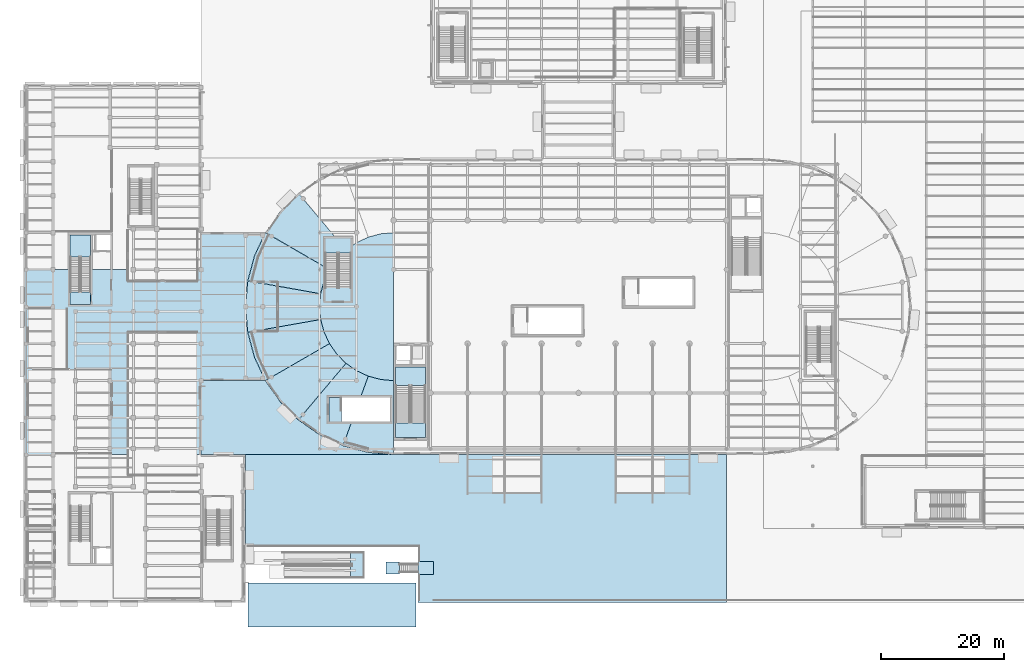
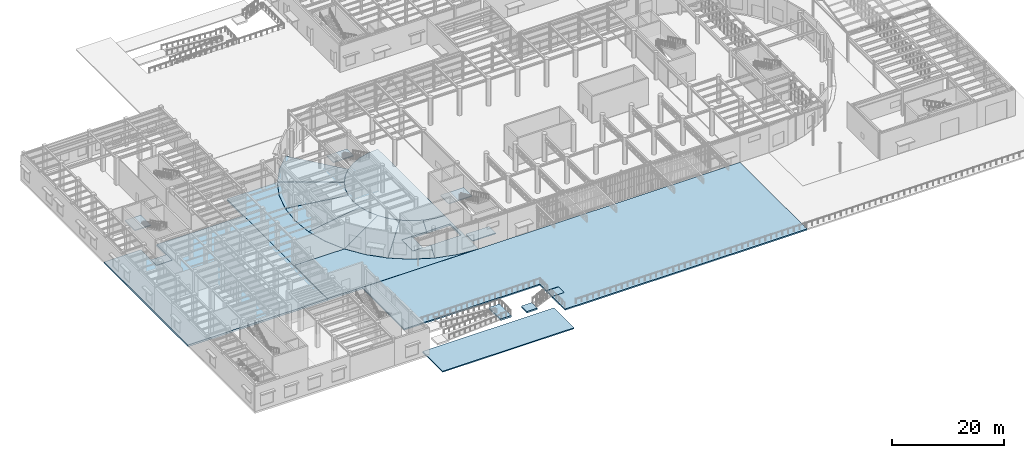
# One storey, part 70 of 118: 22 slabs, 4 elements without a shape of their own.
"""IFC4 building model written with IfcOpenShell, lengths in metres."""

from ifc_helpers import new_model, si_unit, direction, frame, origin, place, context, subcontext, project, spatial, polyline, outline, extrude, material, layer, layer_set, type_object, element, aggregate, save


model = new_model("IFC4")

# Units and contexts
model_context = context("Model", 3, precision=1e-05, world=origin(), true_north=direction((0.0, 1.0)))
body_context = subcontext(model_context, "Body", "Model", "MODEL_VIEW")
ifc_project = project(units=[si_unit("LENGTHUNIT", "METRE"), si_unit("AREAUNIT", "SQUARE_METRE"), si_unit("VOLUMEUNIT", "CUBIC_METRE"), si_unit("PLANEANGLEUNIT", "RADIAN"), si_unit("MASSUNIT", "GRAM", prefix="KILO")], contexts=[model_context])

# Site, building, storey
site_placement = place(None, origin())
site = spatial("IfcSite", under=ifc_project, at=site_placement, CompositionType="ELEMENT")
building_placement = place(site_placement, origin())
building = spatial("IfcBuilding", under=site, at=building_placement, Name="Kolvaren Corner Interchange", CompositionType="ELEMENT")
storey_placement = place(building_placement, origin())
storey = spatial("IfcBuildingStorey", under=building, at=storey_placement, Name="L01", CompositionType="ELEMENT", Elevation=0.0)

# Slabs
ifc_material_1 = material(Name="Granite Paving Concrete C35/45", Category="masonry")
ifc_layer_1 = layer(ifc_material_1, 0.22998046875)
ifc_layer_set_1 = layer_set([ifc_layer_1], Name="Granite Paving Concrete C35/45")
slab_type_1 = type_object("IfcSlabType", Name="SL-PAV-230", PredefinedType="USERDEFINED", material=ifc_layer_set_1)
slab_1_placement = place(storey_placement, frame((0.0, 0.0, -1.72998046875)))
element("IfcSlab", 1, at=slab_1_placement, inside=storey, type_object=slab_type_1, Name="Kolvaren Boulevard Street Sidewalk Paving Slab", ObjectType="PAVING", PredefinedType="USERDEFINED", context=body_context, shape_type="SweptSolid", body=[
    extrude(outline(polyline([(63.60009765625, -4.0), (63.60009765625, 3.199951171875), (36.39990234375, 3.199951171875), (36.39990234375, -4.0), (63.60009765625, -4.0)])), origin(), (0.0, 0.0, 1.0), 0.22998046875),
])
ifc_material_2 = material(Name="Basalt Paving Concrete C35/45", Category="masonry")
ifc_layer_2 = layer(ifc_material_2, 0.2900390625)
ifc_layer_set_2 = layer_set([ifc_layer_2], Name="Basalt Paving Concrete C35/45")
slab_type_2 = type_object("IfcSlabType", Name="SL-PAV-290", PredefinedType="USERDEFINED", material=ifc_layer_set_2)
slab_2_placement = place(storey_placement, frame((0.0, 0.0, -0.39990234375)))
element("IfcSlab", 2, at=slab_2_placement, inside=storey, type_object=slab_type_2, Name="Level 01 Metro Courtyard Waterproof Lid Slab Part 2", ObjectType="PAVING", PredefinedType="USERDEFINED", context=body_context, shape_type="SweptSolid", body=[
    extrude(outline(polyline([(39.1923828125, 36.0), (28.840087890625, 36.0), (28.800048828125, 24.0400390625), (59.083740234375, 24.0), (59.118896484375, 24.05908203125), (55.83251953125, 24.364501953125), (51.79248046875, 25.447265625), (48.0, 27.21533203125), (44.572509765625, 29.615478515625), (41.614990234375, 32.572998046875), (39.1923828125, 36.0)])), origin(), (0.0, 0.0, 1.0), 0.39990234375),
])
slab_3_placement = place(storey_placement, frame((0.0, 0.0, -0.2900390625)))
element("IfcSlab", 3, at=slab_3_placement, inside=storey, type_object=slab_type_2, Name="Level 01 South Civic Forecourt Plinth Paving Slab", ObjectType="PAVING", PredefinedType="USERDEFINED", context=body_context, shape_type="SweptSolid", body=[
    extrude(outline(polyline([(64.0, 9.0), (64.01171875, 6.66162109375), (66.5, 6.64892578125), (66.5, 4.550048828125), (64.0400390625, 4.550048828125), (64.0029296875, 4.525390625), (64.0, 0.0400390625), (64.0322265625, 0.000732421875), (113.9716796875, 0.001708984375), (114.0, 0.0400390625), (113.998291015625, 23.9716796875), (113.9599609375, 24.0), (36.0400390625, 24.0), (36.004638671875, 23.97900390625), (36.0, 9.0400390625), (36.02099609375, 9.004638671875), (64.0, 9.0)])), origin(), (0.0, 0.0, 1.0), 0.2900390625),
])
ifc_material_3 = material(Name="Concrete C35/45", Category="concrete")
ifc_layer_3 = layer(ifc_material_3, 0.340087890625)
ifc_layer_set_3 = layer_set([ifc_layer_3], Name="Concrete C35/45")
slab_type_3 = type_object("IfcSlabType", Name="SL-RAMP-LAND", PredefinedType="LANDING", material=ifc_layer_set_3)
slab_4_placement = place(storey_placement, frame((0.0, 0.0, -1.840087890625)))
element("IfcSlab", 4, at=slab_4_placement, inside=storey, type_object=slab_type_3, Name="Southwest Forecourt Civic Steps Bottom Structural Landing Slab", PredefinedType="LANDING", context=body_context, shape_type="SweptSolid", body=[
    extrude(outline(polyline([(58.800048828125, 4.60009765625), (60.93994140625, 4.60009765625), (60.93994140625, 6.60009765625), (58.800048828125, 6.60009765625), (58.800048828125, 4.60009765625)])), origin(), (0.0, 0.0, 1.0), 0.340087890625),
])
slab_5_placement = place(storey_placement, frame((0.0, 0.0, -0.3798828125)))
element("IfcSlab", 5, at=slab_5_placement, inside=storey, type_object=slab_type_3, Name="Southwest Forecourt Civic Steps Top Plinth Arrival Slab", PredefinedType="LANDING", context=body_context, shape_type="SweptSolid", body=[
    extrude(outline(polyline([(64.0, 4.550048828125), (66.5, 4.550048828125), (66.5, 6.64990234375), (64.0, 6.64990234375), (64.0, 4.550048828125)])), origin(), (0.0, 0.0, 1.0), 0.33984375),
])

# Ramp, slab
ifc_material_4 = material(Name="Concrete C35/45", Category="concrete")
ramp_type = type_object("IfcRampType", Name="RMP-PLINTH", PredefinedType="HALF_TURN_RAMP", material=ifc_material_4)
ramp_placement = place(storey_placement, origin())
ramp = element("IfcRamp", 6, at=ramp_placement, inside=storey, type_object=ramp_type, Name="South Forecourt Accessible Plinth Ramp", PredefinedType="HALF_TURN_RAMP")
slab_6_placement = place(storey_placement, frame((0.0, 0.0, -1.090087890625)))
slab_6 = element("IfcSlab", 7, at=slab_6_placement, type_object=slab_type_3, Name="South Forecourt Accessible Plinth Ramp Intermediate Landing Slab", PredefinedType="LANDING", context=body_context, shape_type="SweptSolid", body=[
    extrude(outline(polyline([(53.0, 4.0), (55.25, 4.0), (55.25, 8.199951171875), (53.0, 8.199951171875), (53.0, 4.0)])), origin(), (0.0, 0.0, 1.0), 0.340087890625),
])
aggregate(ramp, [slab_6])

# Slab
ifc_material_5 = material(Name="Concrete C35/45", Category="concrete")
ifc_layer_4 = layer(ifc_material_5, 0.199951171875)
ifc_layer_set_4 = layer_set([ifc_layer_4], Name="Concrete C35/45")
slab_type_4 = type_object("IfcSlabType", Name="SL-STAIR-LAND200", PredefinedType="LANDING", material=ifc_layer_set_4)
slab_7_placement = place(storey_placement, frame((0.0, 0.0, -0.199951171875)))
element("IfcSlab", 8, at=slab_7_placement, inside=storey, type_object=slab_type_4, Name="Core C2 Northwest Firefighting Stair L01 Floor Arrival Landing Slab", PredefinedType="LANDING", context=body_context, shape_type="SweptSolid", body=[
    extrude(outline(polyline([(10.85009765625, 48.35009765625), (10.85009765625, 50.35009765625), (7.550048828125, 50.35009765625), (7.550048828125, 48.35009765625), (10.85009765625, 48.35009765625)])), origin(), (0.0, 0.0, 1.0), 0.199951171875),
])

# Stair, slab
ifc_material_6 = material(Name="Concrete C35/45", Category="concrete")
stair_type_1 = type_object("IfcStairType", Name="ST-FF-1550", PredefinedType="HALF_TURN_STAIR", material=ifc_material_6)
stair_1_placement = place(storey_placement, origin())
stair_1 = element("IfcStair", 9, at=stair_1_placement, inside=storey, type_object=stair_type_1, Name="Core C2 Northwest Firefighting Stair L01 to L02 Stair", PredefinedType="HALF_TURN_STAIR")
slab_8_placement = place(storey_placement, frame((0.0, 0.0, 2.800048828125)))
slab_8 = element("IfcSlab", 10, at=slab_8_placement, type_object=slab_type_4, Name="Core C2 Northwest Firefighting Stair L01 Intermediate Half Landing Slab", PredefinedType="LANDING", context=body_context, shape_type="SweptSolid", body=[
    extrude(outline(polyline([(10.85009765625, 56.050048828125), (10.85009765625, 59.64990234375), (7.550048828125, 59.64990234375), (7.550048828125, 56.050048828125), (10.85009765625, 56.050048828125)])), origin(), (0.0, 0.0, 1.0), 0.199951171875),
])
aggregate(stair_1, [slab_8])

# Slab
slab_9_placement = place(storey_placement, frame((0.0, 0.0, -0.199951171875)))
element("IfcSlab", 11, at=slab_9_placement, inside=storey, type_object=slab_type_4, Name="Core C3 West Concourse Transfer Stair L01 Floor Arrival Landing Slab", PredefinedType="LANDING", context=body_context, shape_type="SweptSolid", body=[
    extrude(outline(polyline([(65.14990234375, 26.75), (65.14990234375, 29.14990234375), (60.35009765625, 29.14990234375), (60.35009765625, 26.75), (65.14990234375, 26.75)])), origin(), (0.0, 0.0, 1.0), 0.199951171875),
])

# Stair, slab
ifc_material_7 = material(Name="Concrete C35/45", Category="concrete")
stair_type_2 = type_object("IfcStairType", Name="ST-TR-2300", PredefinedType="HALF_TURN_STAIR", material=ifc_material_7)
stair_2_placement = place(storey_placement, origin())
stair_2 = element("IfcStair", 12, at=stair_2_placement, inside=storey, type_object=stair_type_2, Name="Core C3 West Concourse Transfer Stair L01 to L02 Stair", PredefinedType="HALF_TURN_STAIR")
slab_10_placement = place(storey_placement, frame((0.0, 0.0, 2.800048828125)))
slab_10 = element("IfcSlab", 13, at=slab_10_placement, type_object=slab_type_4, Name="Core C3 West Concourse Transfer Stair L01 Intermediate Half Landing Slab", PredefinedType="LANDING", context=body_context, shape_type="SweptSolid", body=[
    extrude(outline(polyline([(65.14990234375, 35.22998046875), (65.14990234375, 38.25), (60.35009765625, 38.25), (60.35009765625, 35.22998046875), (65.14990234375, 35.22998046875)])), origin(), (0.0, 0.0, 1.0), 0.199951171875),
])
aggregate(stair_2, [slab_10])

# Slab
slab_11_placement = place(storey_placement, frame((0.0, 0.0, -0.199951171875)))
element("IfcSlab", 14, at=slab_11_placement, inside=storey, type_object=slab_type_4, Name="Metro West Plant and Gateline Exit Stair L01 Floor Arrival Landing Slab", PredefinedType="LANDING", context=body_context, shape_type="SweptSolid", body=[
    extrude(outline(polyline([(49.5, 29.300048828125), (51.550048828125, 29.300048828125), (51.550048828125, 33.300048828125), (49.5, 33.300048828125), (49.5, 29.300048828125)])), origin(), (0.0, 0.0, 1.0), 0.199951171875),
])

# Stair, slab
ifc_material_8 = material(Name="Concrete C35/45", Category="concrete")
stair_type_3 = type_object("IfcStairType", Name="ST-GL-2000", PredefinedType="HALF_TURN_STAIR", material=ifc_material_8)
stair_3_placement = place(storey_placement, origin())
stair_3 = element("IfcStair", 15, at=stair_3_placement, inside=storey, type_object=stair_type_3, Name="West Racetrack Concourse Gallery Stair L01 to L02 Stair", PredefinedType="HALF_TURN_STAIR")
slab_12_placement = place(storey_placement, frame((0.0, 0.0, 2.800048828125)))
slab_12 = element("IfcSlab", 16, at=slab_12_placement, type_object=slab_type_4, Name="West Racetrack Concourse Gallery Stair L01 Intermediate Half Landing Slab", PredefinedType="LANDING", context=body_context, shape_type="SweptSolid", body=[
    extrude(outline(polyline([(53.10009765625, 56.699951171875), (53.10009765625, 59.10009765625), (48.89990234375, 59.10009765625), (48.89990234375, 56.699951171875), (53.10009765625, 56.699951171875)])), origin(), (0.0, 0.0, 1.0), 0.199951171875),
])
aggregate(stair_3, [slab_12])

# Slabs
ifc_material_9 = material(Name="Concrete C40/50", Category="concrete")
ifc_layer_5 = layer(ifc_material_9, 0.39990234375)
ifc_layer_set_5 = layer_set([ifc_layer_5], Name="Concrete C40/50")
slab_type_5 = type_object("IfcSlabType", Name="SL-TRANSFER-400", PredefinedType="FLOOR", material=ifc_layer_set_5)
slab_13_placement = place(storey_placement, frame((0.0, 0.0, -0.39990234375)))
element("IfcSlab", 17, at=slab_13_placement, inside=storey, type_object=slab_type_5, Name="Level 01 Operations Central West Wing Slab", PredefinedType="FLOOR", context=body_context, shape_type="SweptSolid", body=[
    extrude(outline(polyline([(7.550048828125, 48.35009765625), (7.550048828125, 54.0), (0.0, 54.0), (0.0, 24.0), (28.800048828125, 24.0), (28.800048828125, 54.0), (10.85009765625, 54.0), (10.85009765625, 48.35009765625), (7.550048828125, 48.35009765625)])), origin(), (0.0, 0.0, 1.0), 0.39990234375),
])
slab_14_placement = place(storey_placement, frame((0.0, 0.0, -0.39990234375)))
element("IfcSlab", 18, at=slab_14_placement, inside=storey, type_object=slab_type_5, Name="Level 01 West Transfer Vestibule Slab", PredefinedType="FLOOR", context=body_context, shape_type="SweptSolid", body=[
    extrude(outline(polyline([(37.4287109375, 56.21533203125), (39.193359375, 60.0), (28.800048828125, 60.0), (28.800048828125, 36.0), (39.193359375, 36.0), (37.4287109375, 39.78466796875), (36.344970703125, 43.8291015625), (35.97998046875, 48.0), (36.344970703125, 52.1708984375), (37.4287109375, 56.21533203125)])), origin(), (0.0, 0.0, 1.0), 0.39990234375),
])
slab_15_placement = place(storey_placement, frame((0.0, 0.0, -0.39990234375)))
element("IfcSlab", 19, at=slab_15_placement, inside=storey, type_object=slab_type_5, Name="Level 01 Racetrack West Inner Concourse Slab", PredefinedType="FLOOR", context=body_context, shape_type="SweptSolid", body=[
    extrude(outline(polyline([(52.28662109375, 57.1923828125), (50.8076171875, 55.71337890625), (49.607666015625, 54.0), (48.7236328125, 52.104248046875), (48.182373046875, 50.083740234375), (48.0, 48.0), (48.182373046875, 45.916259765625), (48.7236328125, 43.895751953125), (49.607666015625, 42.0), (50.8076171875, 40.28662109375), (52.28662109375, 38.8076171875), (54.0, 37.607666015625), (55.895751953125, 36.7236328125), (57.916259765625, 36.182373046875), (60.0, 36.0), (60.0, 60.0), (57.916259765625, 59.817626953125), (55.895751953125, 59.2763671875), (54.0, 58.392333984375), (52.28662109375, 57.1923828125)])), origin(), (0.0, 0.0, 1.0), 0.39990234375),
])
slab_16_placement = place(storey_placement, frame((0.0, 0.0, -0.39990234375)))
element("IfcSlab", 20, at=slab_16_placement, inside=storey, type_object=slab_type_5, Name="Level 01 Racetrack West Radial Sector Slab 03", PredefinedType="FLOOR", context=body_context, shape_type="SweptSolid", body=[
    extrude(outline(polyline([(41.614990234375, 63.4267578125), (39.240478515625, 60.035888671875), (49.575927734375, 54.018310546875), (50.8076171875, 55.71337890625), (52.260498046875, 57.16650390625), (52.269287109375, 57.21044921875), (44.601318359375, 66.3515625), (41.614990234375, 63.4267578125)])), origin(), (0.0, 0.0, 1.0), 0.39990234375),
])
slab_17_placement = place(storey_placement, frame((0.0, 0.0, -0.39990234375)))
element("IfcSlab", 21, at=slab_17_placement, inside=storey, type_object=slab_type_5, Name="Level 01 Racetrack West Radial Sector Slab 04", PredefinedType="FLOOR", context=body_context, shape_type="SweptSolid", body=[
    extrude(outline(polyline([(39.197021484375, 59.96044921875), (37.447509765625, 56.20849609375), (36.3759765625, 52.209716796875), (48.146240234375, 50.090087890625), (48.7236328125, 52.104248046875), (49.59228515625, 53.966796875), (49.585205078125, 54.010986328125), (39.253173828125, 59.978271484375), (39.197021484375, 59.96044921875)])), origin(), (0.0, 0.0, 1.0), 0.39990234375),
])
slab_18_placement = place(storey_placement, frame((0.0, 0.0, -0.39990234375)))
element("IfcSlab", 22, at=slab_18_placement, inside=storey, type_object=slab_type_5, Name="Level 01 Racetrack West Radial Sector Slab 05", PredefinedType="FLOOR", context=body_context, shape_type="SweptSolid", body=[
    extrude(outline(polyline([(36.364501953125, 52.16748046875), (36.0, 48.0), (36.364501953125, 43.83251953125), (48.182373046875, 45.916259765625), (48.0, 48.0), (48.182373046875, 50.083740234375), (36.364501953125, 52.16748046875)])), origin(), (0.0, 0.0, 1.0), 0.39990234375),
])
slab_19_placement = place(storey_placement, frame((0.0, 0.0, -0.39990234375)))
element("IfcSlab", 23, at=slab_19_placement, inside=storey, type_object=slab_type_5, Name="Level 01 Racetrack West Radial Sector Slab 06", PredefinedType="FLOOR", context=body_context, shape_type="SweptSolid", body=[
    extrude(outline(polyline([(36.364501953125, 43.83251953125), (37.447509765625, 39.79150390625), (39.21533203125, 36.0), (49.607666015625, 42.0), (48.7236328125, 43.895751953125), (48.182373046875, 45.916259765625), (36.364501953125, 43.83251953125)])), origin(), (0.0, 0.0, 1.0), 0.39990234375),
])
slab_20_placement = place(storey_placement, frame((0.0, 0.0, -0.39990234375)))
element("IfcSlab", 24, at=slab_20_placement, inside=storey, type_object=slab_type_5, Name="Level 01 Racetrack West Radial Sector Slab 07", PredefinedType="FLOOR", context=body_context, shape_type="SweptSolid", body=[
    extrude(outline(polyline([(41.614990234375, 32.5732421875), (44.542236328125, 29.645751953125), (52.262939453125, 38.779296875), (50.8076171875, 40.28662109375), (49.628662109375, 41.969970703125), (49.5869140625, 41.986083984375), (39.253173828125, 36.021728515625), (41.614990234375, 32.5732421875)])), origin(), (0.0, 0.0, 1.0), 0.39990234375),
])
slab_21_placement = place(storey_placement, frame((0.0, 0.0, -0.39990234375)))
element("IfcSlab", 25, at=slab_21_placement, inside=storey, type_object=slab_type_5, Name="Level 01 Racetrack West Radial Sector Slab 08", PredefinedType="FLOOR", context=body_context, shape_type="SweptSolid", body=[
    extrude(outline(polyline([(49.5, 29.300048828125), (49.5, 33.300048828125), (54.649658203125, 33.300048828125), (55.895751953125, 36.7236328125), (54.0, 37.607666015625), (52.28662109375, 38.8076171875), (44.572998046875, 29.614990234375), (48.0, 27.21533203125), (51.79150390625, 25.447509765625), (53.19384765625, 29.300048828125), (49.5, 29.300048828125)])), origin(), (0.0, 0.0, 1.0), 0.39990234375),
])
slab_22_placement = place(storey_placement, frame((0.0, 0.0, -0.39990234375)))
element("IfcSlab", 26, at=slab_22_placement, inside=storey, type_object=slab_type_5, Name="Level 01 Racetrack West Radial Sector Slab 09", PredefinedType="FLOOR", context=body_context, shape_type="SweptSolid", body=[
    extrude(outline(polyline([(55.895751953125, 36.7236328125), (54.649658203125, 33.300048828125), (59.5, 33.300048828125), (59.5, 29.300048828125), (53.19384765625, 29.300048828125), (51.79150390625, 25.447509765625), (55.83251953125, 24.364501953125), (60.0, 24.0), (60.0, 36.0), (57.916259765625, 36.182373046875), (55.895751953125, 36.7236328125)])), origin(), (0.0, 0.0, 1.0), 0.39990234375),
])

save(model, "model.ifc")
